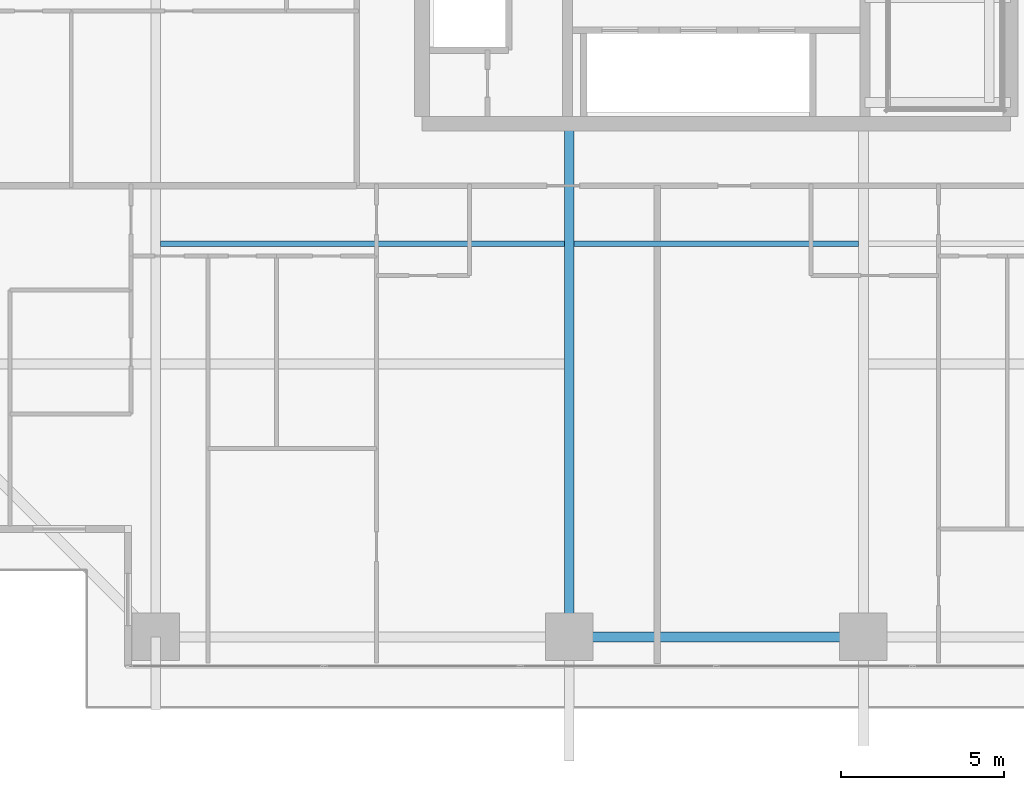
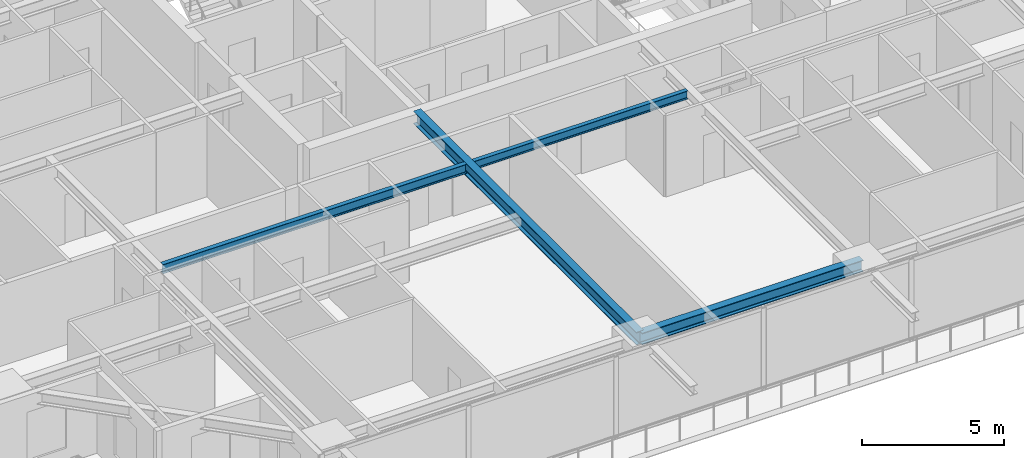
# One storey, part 5 of 36: 4 beams.
"""IFC4 building model written with IfcOpenShell, lengths in metres."""

from ifc_helpers import new_model, si_unit, direction, frame, origin, origin_2d, place, context, subcontext, project, spatial, i_section, extrude, source, transform, mapped, material, material_profile, profile_set, type_object, element, save


model = new_model("IFC4")

# Units and contexts
model_context = context("Model", 3, precision=1e-05, world=origin(), true_north=direction((0.0, 1.0)))
body_context = subcontext(model_context, "Body", "Model", "MODEL_VIEW")
ifc_project = project(units=[si_unit("LENGTHUNIT", "METRE"), si_unit("AREAUNIT", "SQUARE_METRE"), si_unit("VOLUMEUNIT", "CUBIC_METRE"), si_unit("PLANEANGLEUNIT", "RADIAN"), si_unit("MASSUNIT", "GRAM", prefix="KILO")], contexts=[model_context])

# Site, building, storey
site_placement = place(None, origin())
site = spatial("IfcSite", under=ifc_project, at=site_placement, CompositionType="ELEMENT")
building_placement = place(site_placement, origin())
building = spatial("IfcBuilding", under=site, at=building_placement, Name="Serunith Strait Residences", CompositionType="ELEMENT")
storey_placement = place(building_placement, frame((0.0, 0.0, 41.699951171875)))
storey = spatial("IfcBuildingStorey", under=building, at=storey_placement, Name="L09", CompositionType="ELEMENT", Elevation=41.699951171875)

# Beams
ifc_material = material(Name="Steel S355J2", Category="steel")
ifc_material_profile_1 = material_profile(ifc_material, i_section(OverallWidth=0.300048828125, OverallDepth=0.550048828125, WebThickness=0.014892578125, FlangeThickness=0.029052734375, FilletRadius=0.027099609375, at=origin_2d()), Name="HEB 550")
ifc_profile_set_1 = profile_set([ifc_material_profile_1], Name="Steel S355J2")
beam_type_1 = type_object("IfcBeamType", Name="BM-HEB550", PredefinedType="BEAM", material=ifc_profile_set_1)
shared_shape_1 = source(origin(), body_context, "Body", "SweptSolid", [
    extrude(i_section(OverallWidth=0.300048828125, OverallDepth=0.550048828125, WebThickness=0.014892578125, FlangeThickness=0.029052734375, FilletRadius=0.027099609375, at=origin_2d()), origin(), (0.0, 0.0, 1.0), 15.699951171875),
])
beam_1_placement = place(storey_placement, frame((27.89990234375, 16.800048828125, 3.212158203125), z_axis=(0.0, -1.0, 0.0), x_axis=(1.0, 0.0, 0.0)))
element("IfcBeam", 1, at=beam_1_placement, inside=storey, type_object=beam_type_1, Name="L09 Primary Floor Girder TC-S2", PredefinedType="BEAM", context=body_context, shape_type="MappedRepresentation", body=[
    mapped(shared_shape_1, transform((0.0, 0.0, 0.0), scale=1.0)),
])
ifc_material_profile_2 = material_profile(ifc_material, i_section(OverallWidth=0.300048828125, OverallDepth=0.5, WebThickness=0.014404296875, FlangeThickness=0.028076171875, FilletRadius=0.027099609375, at=origin_2d()), Name="HEB 500")
ifc_profile_set_2 = profile_set([ifc_material_profile_2], Name="Steel S355J2")
beam_type_2 = type_object("IfcBeamType", Name="BM-HEB500", PredefinedType="BEAM", material=ifc_profile_set_2)
shared_shape_2 = source(origin(), body_context, "Body", "SweptSolid", [
    extrude(i_section(OverallWidth=0.300048828125, OverallDepth=0.5, WebThickness=0.014404296875, FlangeThickness=0.028076171875, FilletRadius=0.027099609375, at=origin_2d()), origin(), (0.0, 0.0, 1.0), 9.0),
])
beam_2_placement = place(storey_placement, frame((27.89990234375, 1.10009765625, 3.237060546875), z_axis=(1.0, 0.0, 0.0), x_axis=(0.0, 1.0, 0.0)))
element("IfcBeam", 2, at=beam_2_placement, inside=storey, type_object=beam_type_2, Name="L09 Perimeter Ring Beam 02", PredefinedType="BEAM", context=body_context, shape_type="MappedRepresentation", body=[
    mapped(shared_shape_2, transform((0.0, 0.0, 0.0), scale=1.0)),
])
ifc_material_profile_3 = material_profile(ifc_material, i_section(OverallWidth=0.179931640625, OverallDepth=0.39990234375, WebThickness=0.008544921875, FlangeThickness=0.013427734375, FilletRadius=0.02099609375, at=origin_2d()), Name="IPE 400")
ifc_profile_set_3 = profile_set([ifc_material_profile_3], Name="Steel S355J2")
beam_type_3 = type_object("IfcBeamType", Name="BM-IPE400", PredefinedType="JOIST", material=ifc_profile_set_3)
shared_shape_3 = source(origin(), body_context, "Body", "SweptSolid", [
    extrude(i_section(OverallWidth=0.179931640625, OverallDepth=0.39990234375, WebThickness=0.008544921875, FlangeThickness=0.013427734375, FilletRadius=0.02099609375, at=origin_2d()), origin(), (0.0, 0.0, 1.0), 12.35009765625),
])
beam_3_placement = place(storey_placement, frame((15.39990234375, 13.125, 3.287109375), z_axis=(1.0, 0.0, 0.0), x_axis=(0.0, 1.0, 0.0)))
element("IfcBeam", 3, at=beam_3_placement, inside=storey, type_object=beam_type_3, Name="L09 Composite Floor Joist 01", PredefinedType="JOIST", context=body_context, shape_type="MappedRepresentation", body=[
    mapped(shared_shape_3, transform((0.0, 0.0, 0.0), scale=1.0)),
])
ifc_material_profile_4 = material_profile(ifc_material, i_section(OverallWidth=0.169921875, OverallDepth=0.360107421875, WebThickness=0.008056640625, FlangeThickness=0.0126953125, FilletRadius=0.01806640625, at=origin_2d()), Name="IPE 360")
ifc_profile_set_4 = profile_set([ifc_material_profile_4], Name="Steel S355J2")
beam_type_4 = type_object("IfcBeamType", Name="BM-IPE360", PredefinedType="JOIST", material=ifc_profile_set_4)
shared_shape_4 = source(origin(), body_context, "Body", "SweptSolid", [
    extrude(i_section(OverallWidth=0.169921875, OverallDepth=0.360107421875, WebThickness=0.008056640625, FlangeThickness=0.0126953125, FilletRadius=0.01806640625, at=origin_2d()), origin(), (0.0, 0.0, 1.0), 8.699951171875),
])
beam_4_placement = place(storey_placement, frame((28.050048828125, 13.125, 3.30712890625), z_axis=(1.0, 0.0, 0.0), x_axis=(0.0, 1.0, 0.0)))
element("IfcBeam", 4, at=beam_4_placement, inside=storey, type_object=beam_type_4, Name="L09 Composite Floor Joist 02", PredefinedType="JOIST", context=body_context, shape_type="MappedRepresentation", body=[
    mapped(shared_shape_4, transform((0.0, 0.0, 0.0), scale=1.0)),
])

save(model, "model.ifc")
